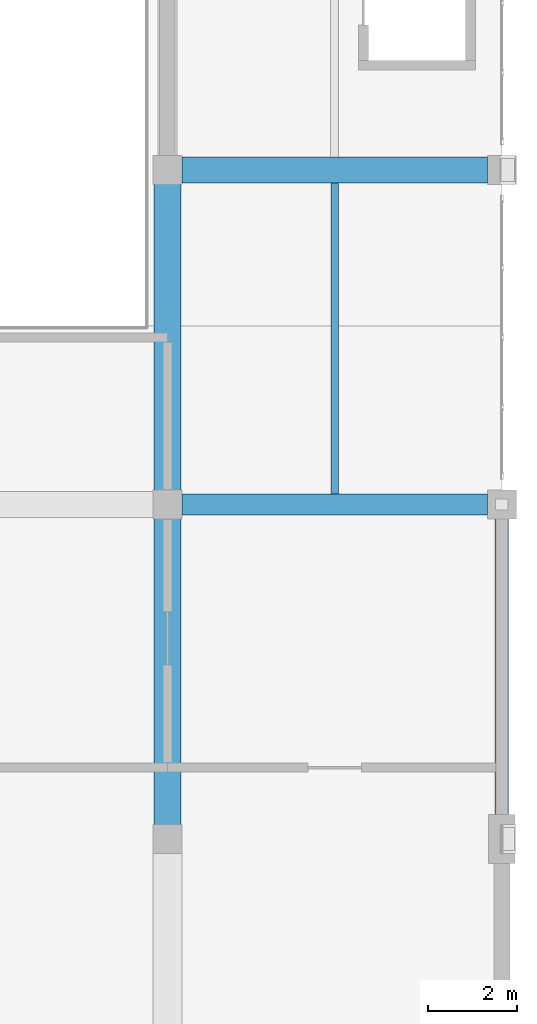
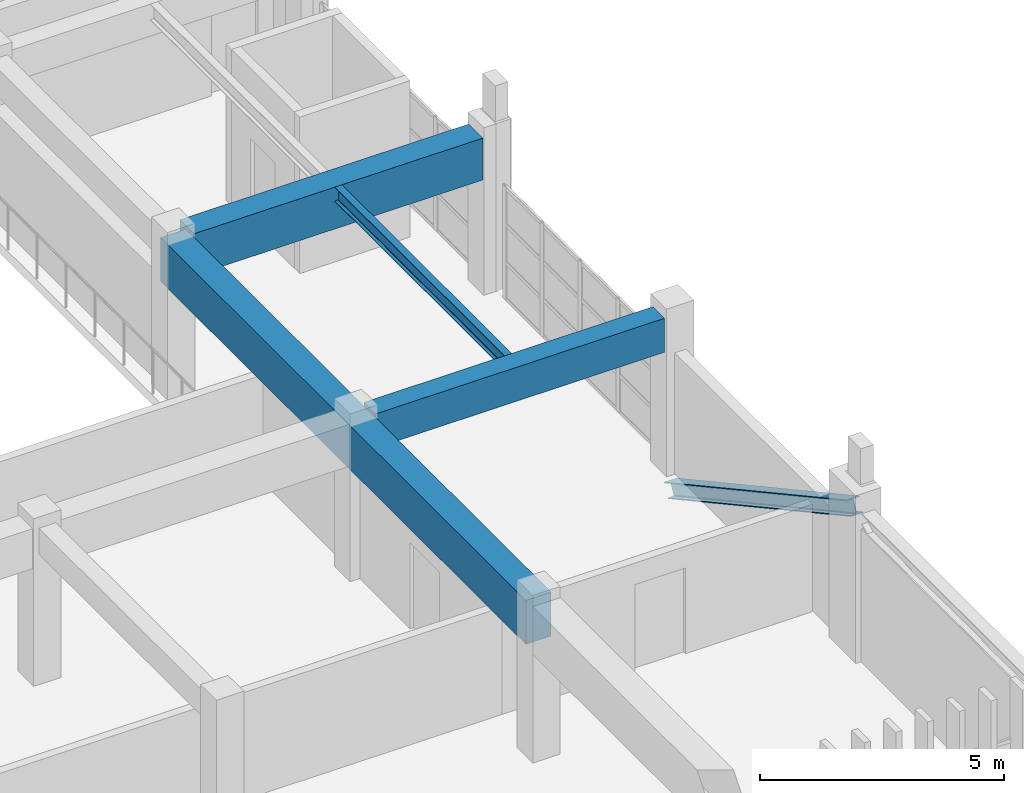
# One storey, part 18 of 51: 4 beams, 1 member.
"""IFC4 building model written with IfcOpenShell, lengths in metres."""

from ifc_helpers import new_model, si_unit, direction, frame, origin, origin_2d, place, context, subcontext, project, spatial, rectangle, i_section, extrude, material, material_profile, profile_set, type_object, element, save


model = new_model("IFC4")

# Units and contexts
model_context = context("Model", 3, precision=1e-05, world=origin(), true_north=direction((0.0, 1.0)))
body_context = subcontext(model_context, "Body", "Model", "MODEL_VIEW")
ifc_project = project(units=[si_unit("LENGTHUNIT", "METRE"), si_unit("AREAUNIT", "SQUARE_METRE"), si_unit("VOLUMEUNIT", "CUBIC_METRE"), si_unit("PLANEANGLEUNIT", "RADIAN"), si_unit("MASSUNIT", "GRAM", prefix="KILO")], contexts=[model_context])

# Site, building, storey
site_placement = place(None, origin())
site = spatial("IfcSite", under=ifc_project, at=site_placement, CompositionType="ELEMENT")
building_placement = place(site_placement, origin())
building = spatial("IfcBuilding", under=site, at=building_placement, Name="Qasida Concert Hall", CompositionType="ELEMENT")
storey_placement = place(building_placement, frame((0.0, 0.0, 21.0)))
storey = spatial("IfcBuildingStorey", under=building, at=storey_placement, Name="L05", CompositionType="ELEMENT", Elevation=21.0)

# Beams
ifc_material_1 = material(Name="Concrete C50/60", Category="concrete")
ifc_material_profile_1 = material_profile(ifc_material_1, rectangle(XDim=0.60009765625, YDim=1.10009765625, at=origin_2d()), Name="RC 600x1100")
ifc_profile_set_1 = profile_set([ifc_material_profile_1], Name="Concrete C50/60")
beam_type_1 = type_object("IfcBeamType", Name="BM-G4", PredefinedType="USERDEFINED", material=ifc_profile_set_1)
beam_1_placement = place(storey_placement, frame((97.5, 22.5, 3.320068359375), z_axis=(0.0, 1.0, 0.0), x_axis=(-1.0, 0.0, 0.0)))
element("IfcBeam", 1, at=beam_1_placement, inside=storey, type_object=beam_type_1, Name="Cantilever backspan girder CGB-030", ObjectType="GIRDER", PredefinedType="USERDEFINED", context=body_context, shape_type="SweptSolid", body=[
    extrude(rectangle(XDim=0.60009765625, YDim=1.10009765625, at=origin_2d()), origin(), (0.0, 0.0, 1.0), 15.0),
])
ifc_material_2 = material(Name="Concrete C40/50", Category="concrete")
ifc_material_profile_2 = material_profile(ifc_material_2, rectangle(XDim=0.47998046875, YDim=0.85009765625, at=origin_2d()), Name="RC 480x850")
ifc_profile_set_2 = profile_set([ifc_material_profile_2], Name="Concrete C40/50")
beam_type_2 = type_object("IfcBeamType", Name="BM-G6", PredefinedType="USERDEFINED", material=ifc_profile_set_2)
beam_2_placement = place(storey_placement, frame((97.824951171875, 30.0, 3.4951171875), z_axis=(1.0, 0.0, 0.0), x_axis=(0.0, 1.0, 0.0)))
element("IfcBeam", 2, at=beam_2_placement, inside=storey, type_object=beam_type_2, Name="Primary girder 1991", ObjectType="GIRDER", PredefinedType="USERDEFINED", context=body_context, shape_type="SweptSolid", body=[
    extrude(rectangle(XDim=0.47998046875, YDim=0.85009765625, at=origin_2d()), origin(), (0.0, 0.0, 1.0), 6.85009765625),
])
ifc_material_profile_3 = material_profile(ifc_material_1, rectangle(XDim=0.580078125, YDim=1.050048828125, at=origin_2d()), Name="RC 580x1050")
ifc_profile_set_3 = profile_set([ifc_material_profile_3], Name="Concrete C50/60")
beam_type_3 = type_object("IfcBeamType", Name="BM-G8", PredefinedType="USERDEFINED", material=ifc_profile_set_3)
beam_3_placement = place(storey_placement, frame((97.824951171875, 37.5, 3.39501953125), z_axis=(1.0, 0.0, 0.0), x_axis=(0.0, 1.0, 0.0)))
element("IfcBeam", 3, at=beam_3_placement, inside=storey, type_object=beam_type_3, Name="Primary girder 1993", ObjectType="GIRDER", PredefinedType="USERDEFINED", context=body_context, shape_type="SweptSolid", body=[
    extrude(rectangle(XDim=0.580078125, YDim=1.050048828125, at=origin_2d()), origin(), (0.0, 0.0, 1.0), 6.85009765625),
])
ifc_material_3 = material(Name="Steel S355J2", Category="steel")
ifc_material_profile_4 = material_profile(ifc_material_3, i_section(OverallWidth=0.169921875, OverallDepth=0.360107421875, WebThickness=0.008056640625, FlangeThickness=0.0126953125, FilletRadius=0.01806640625, at=origin_2d()), Name="IPE 360")
ifc_profile_set_4 = profile_set([ifc_material_profile_4], Name="Steel S355J2")
beam_type_4 = type_object("IfcBeamType", Name="BM-J2", PredefinedType="JOIST", material=ifc_profile_set_4)
beam_4_placement = place(storey_placement, frame((101.25, 30.239990234375, 3.739990234375), z_axis=(0.0, 1.0, 0.0), x_axis=(-1.0, 0.0, 0.0)))
element("IfcBeam", 4, at=beam_4_placement, inside=storey, type_object=beam_type_4, Name="L05 secondary joist 2033", PredefinedType="JOIST", context=body_context, shape_type="SweptSolid", body=[
    extrude(i_section(OverallWidth=0.169921875, OverallDepth=0.360107421875, WebThickness=0.008056640625, FlangeThickness=0.0126953125, FilletRadius=0.01806640625, at=origin_2d()), origin(), (0.0, 0.0, 1.0), 6.969970703125),
])

# Member
ifc_material_profile_5 = material_profile(ifc_material_3, i_section(OverallWidth=0.300048828125, OverallDepth=0.360107421875, WebThickness=0.012451171875, FlangeThickness=0.0224609375, FilletRadius=0.027099609375, at=origin_2d()), Name="HEB 360")
ifc_profile_set_5 = profile_set([ifc_material_profile_5], Name="Steel S355J2")
member_type = type_object("IfcMemberType", Name="MB-BR1", PredefinedType="BRACE", material=ifc_profile_set_5)
member_placement = place(storey_placement, frame((105.0, 22.5, 3.5), z_axis=(0.0, 0.877443274238, -0.479680414959), x_axis=(-1.0, 0.0, 0.0)))
element("IfcMember", 5, at=member_placement, inside=storey, type_object=member_type, Name="Wall truss backspan brace WT-E-031", PredefinedType="BRACE", context=body_context, shape_type="SweptSolid", body=[
    extrude(i_section(OverallWidth=0.300048828125, OverallDepth=0.360107421875, WebThickness=0.012451171875, FlangeThickness=0.0224609375, FilletRadius=0.027099609375, at=origin_2d()), origin(), (0.0, 0.0, 1.0), 8.547607421875),
])

save(model, "model.ifc")
